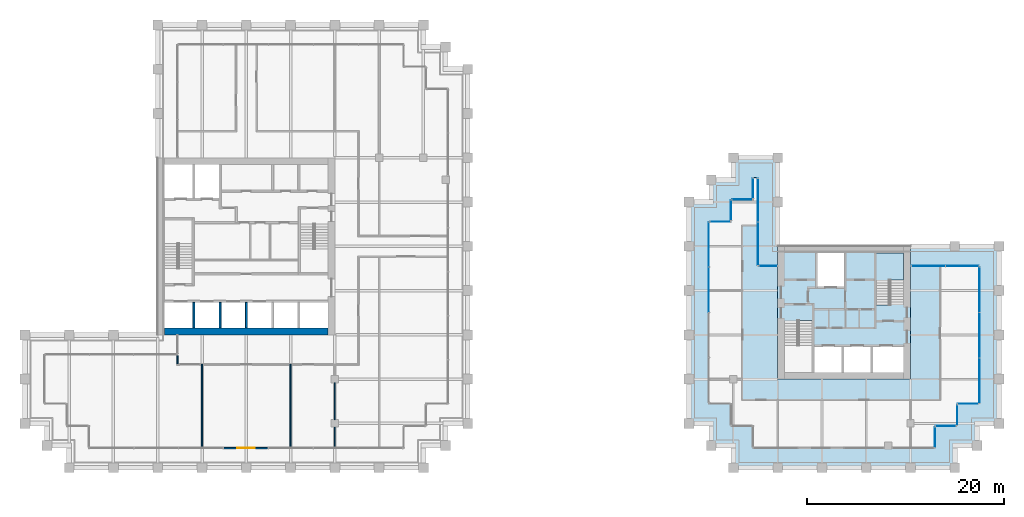
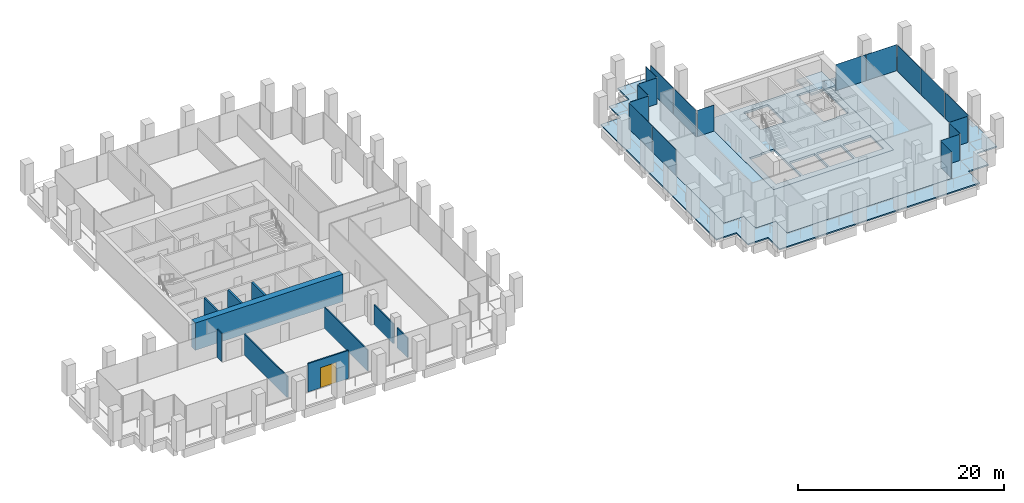
# One storey, part 40 of 45: 18 plates, 10 walls, 4 slabs, 1 door, 1 opening, 14 elements without a shape of their own.
"""IFC4 building model written with IfcOpenShell, lengths in metres."""

from ifc_helpers import new_model, si_unit, direction, frame, frame_2d, origin, origin_2d, place, context, subcontext, project, spatial, polyline, rectangle, outline, extrude, material, layer, layer_set, type_object, element, fill, aggregate, save


model = new_model("IFC4")

# Units and contexts
model_context = context("Model", 3, precision=1e-05, world=origin(), true_north=direction((0.0, 1.0)))
body_context = subcontext(model_context, "Body", "Model", "MODEL_VIEW")
ifc_project = project(units=[si_unit("LENGTHUNIT", "METRE"), si_unit("AREAUNIT", "SQUARE_METRE"), si_unit("VOLUMEUNIT", "CUBIC_METRE"), si_unit("PLANEANGLEUNIT", "RADIAN"), si_unit("MASSUNIT", "GRAM", prefix="KILO")], contexts=[model_context])

# Site, building, storey
site_placement = place(None, origin())
site = spatial("IfcSite", under=ifc_project, at=site_placement, CompositionType="ELEMENT")
building_placement = place(site_placement, origin())
building = spatial("IfcBuilding", under=site, at=building_placement, Name="Altepetl Exchange Towers", CompositionType="ELEMENT")
storey_placement = place(building_placement, frame((0.0, 0.0, 110.0)))
storey = spatial("IfcBuildingStorey", under=building, at=storey_placement, Name="L27", CompositionType="ELEMENT", Elevation=110.0)

# Slabs
ifc_material_1 = material(Name="Concrete C40/50", Category="concrete")
ifc_layer_1 = layer(ifc_material_1, 0.14990234375)
ifc_layer_set_1 = layer_set([ifc_layer_1], Name="Concrete C40/50")
slab_type_1 = type_object("IfcSlabType", Name="Composite floor slab 150", PredefinedType="FLOOR", material=ifc_layer_set_1)
slab_1_placement = place(storey_placement, frame((0.0, 0.0, -0.14990234375)))
element("IfcSlab", 1, at=slab_1_placement, inside=storey, type_object=slab_type_1, Name="slab:B:L27:strip0", PredefinedType="FLOOR", context=body_context, shape_type="SweptSolid", body=[
    extrude(outline(polyline([(98.75, 54.25), (98.75, 52.0), (96.5, 52.0), (96.5, 33.5), (98.75, 33.5), (98.75, 31.25), (101.0, 31.25), (101.0, 29.0), (119.5, 29.0), (119.5, 31.25), (121.75, 31.25), (121.75, 33.5), (124.0, 33.5), (124.0, 47.5), (117.0, 47.5), (117.0, 36.0), (103.5, 36.0), (103.5, 47.5), (101.5, 47.5), (101.5, 56.5), (101.0, 56.5), (101.0, 54.25), (98.75, 54.25)])), origin(), (0.0, 0.0, 1.0), 0.14990234375),
])
ifc_layer_2 = layer(ifc_material_1, 0.25)
ifc_layer_set_2 = layer_set([ifc_layer_2], Name="Concrete C40/50")
slab_type_2 = type_object("IfcSlabType", Name="Core floor slab 250", PredefinedType="FLOOR", material=ifc_layer_set_2)
slab_2_placement = place(storey_placement, frame((0.0, 0.0, -0.25)))
element("IfcSlab", 2, at=slab_2_placement, inside=storey, type_object=slab_type_2, Name="slab:B:L27:core0", PredefinedType="FLOOR", context=body_context, shape_type="SweptSolid", body=[
    extrude(outline(polyline([(103.5, 36.0), (117.0, 36.0), (117.0, 49.5), (103.5, 49.5), (103.5, 36.0)]), holes=[polyline([(107.199951171875, 36.699951171875), (107.199951171875, 39.300048828125), (110.032958984375, 39.300048828125), (110.032958984375, 36.699951171875), (107.199951171875, 36.699951171875)]), polyline([(110.23291015625, 39.300048828125), (112.967041015625, 39.300048828125), (112.967041015625, 36.699951171875), (110.23291015625, 36.699951171875), (110.23291015625, 39.300048828125)]), polyline([(113.1669921875, 39.300048828125), (116.300048828125, 39.300048828125), (116.300048828125, 36.699951171875), (113.1669921875, 36.699951171875), (113.1669921875, 39.300048828125)]), polyline([(107.0, 36.699951171875), (104.199951171875, 36.699951171875), (104.199951171875, 41.85009765625), (105.550048828125, 41.85009765625), (105.550048828125, 41.948974609375), (107.0, 41.948974609375), (107.0, 36.699951171875)]), polyline([(116.300048828125, 48.800048828125), (116.300048828125, 43.64990234375), (114.949951171875, 43.64990234375), (114.949951171875, 43.551025390625), (113.5, 43.551025390625), (113.5, 48.800048828125), (116.300048828125, 48.800048828125)]), polyline([(107.532958984375, 48.800048828125), (110.26708984375, 48.800048828125), (110.26708984375, 45.39990234375), (107.532958984375, 45.39990234375), (107.532958984375, 48.800048828125)])]), origin(), (0.0, 0.0, 1.0), 0.25),
])

# Curtain wall, plate
ifc_material_2 = material(Name="Aluminium 6063-T6 glazing", Category="aluminium")
curtain_wall_type = type_object("IfcCurtainWallType", Name="Loggia glazing system", PredefinedType="NOTDEFINED", material=ifc_material_2)
curtain_wall_1_placement = place(storey_placement, origin())
curtain_wall_1 = element("IfcCurtainWall", 3, at=curtain_wall_1_placement, inside=storey, type_object=curtain_wall_type, Name="CW1 run", PredefinedType="NOTDEFINED")
ifc_material_3 = material(Name="Glass 6-16-6 low emissivity", Category="glass")
ifc_layer_3 = layer(ifc_material_3, 0.028076171875)
ifc_layer_set_3 = layer_set([ifc_layer_3], Name="Glass 6-16-6 low emissivity")
plate_type = type_object("IfcPlateType", Name="Glass panel 28 double glazed", PredefinedType="CURTAIN_PANEL", material=ifc_layer_set_3)
plate_1_placement = place(storey_placement, frame((97.66259765625, 52.0, 0.0), z_axis=(0.0, 0.0, 1.0), x_axis=(-1.0, 0.0, 0.0)))
plate_1 = element("IfcPlate", 4, at=plate_1_placement, type_object=plate_type, Name="GP1 panel", PredefinedType="CURTAIN_PANEL", context=body_context, shape_type="SweptSolid", body=[
    extrude(rectangle(XDim=2.054931640625, YDim=0.028076171875, at=origin_2d()), origin(), (0.0, 0.0, 1.0), 3.10009765625),
])
aggregate(curtain_wall_1, [plate_1])

# Curtain wall, plates
curtain_wall_2_placement = place(storey_placement, origin())
curtain_wall_2 = element("IfcCurtainWall", 5, at=curtain_wall_2_placement, inside=storey, type_object=curtain_wall_type, Name="CW1 run", PredefinedType="NOTDEFINED")
plate_2_placement = place(storey_placement, frame((96.5, 49.681884765625, 0.0), z_axis=(0.0, 0.0, 1.0), x_axis=(0.0, -1.0, 0.0)))
plate_2 = element("IfcPlate", 6, at=plate_2_placement, type_object=plate_type, Name="GP1 panel", PredefinedType="CURTAIN_PANEL", context=body_context, shape_type="SweptSolid", body=[
    extrude(rectangle(XDim=4.516357421875, YDim=0.028076171875, at=origin_2d()), origin(), (0.0, 0.0, 1.0), 3.10009765625),
])
plate_3_placement = place(storey_placement, frame((96.5, 45.090576171875, 0.0), z_axis=(0.0, 0.0, 1.0), x_axis=(0.0, -1.0, 0.0)))
plate_3 = element("IfcPlate", 7, at=plate_3_placement, type_object=plate_type, Name="GP1 panel", PredefinedType="CURTAIN_PANEL", context=body_context, shape_type="SweptSolid", body=[
    extrude(rectangle(XDim=4.546142578125, YDim=0.028076171875, at=origin_2d()), origin(), (0.0, 0.0, 1.0), 3.10009765625),
])
aggregate(curtain_wall_2, [plate_2, plate_3])

# Curtain wall, plate
curtain_wall_3_placement = place(storey_placement, origin())
curtain_wall_3 = element("IfcCurtainWall", 8, at=curtain_wall_3_placement, inside=storey, type_object=curtain_wall_type, Name="CW1 run", PredefinedType="NOTDEFINED")
plate_4_placement = place(storey_placement, frame((119.5, 30.08740234375, 0.0), z_axis=(0.0, 0.0, 1.0), x_axis=(0.0, 1.0, 0.0)))
plate_4 = element("IfcPlate", 9, at=plate_4_placement, type_object=plate_type, Name="GP1 panel", PredefinedType="CURTAIN_PANEL", context=body_context, shape_type="SweptSolid", body=[
    extrude(rectangle(XDim=2.054931640625, YDim=0.028076171875, at=origin_2d()), origin(), (0.0, 0.0, 1.0), 3.10009765625),
])
aggregate(curtain_wall_3, [plate_4])

curtain_wall_4_placement = place(storey_placement, origin())
curtain_wall_4 = element("IfcCurtainWall", 10, at=curtain_wall_4_placement, inside=storey, type_object=curtain_wall_type, Name="CW1 run", PredefinedType="NOTDEFINED")
plate_5_placement = place(storey_placement, frame((120.58740234375, 31.25, 0.0)))
plate_5 = element("IfcPlate", 11, at=plate_5_placement, type_object=plate_type, Name="GP1 panel", PredefinedType="CURTAIN_PANEL", context=body_context, shape_type="SweptSolid", body=[
    extrude(rectangle(XDim=2.054931640625, YDim=0.028076171875, at=origin_2d()), origin(), (0.0, 0.0, 1.0), 3.10009765625),
])
aggregate(curtain_wall_4, [plate_5])

curtain_wall_5_placement = place(storey_placement, origin())
curtain_wall_5 = element("IfcCurtainWall", 12, at=curtain_wall_5_placement, inside=storey, type_object=curtain_wall_type, Name="CW1 run", PredefinedType="NOTDEFINED")
plate_6_placement = place(storey_placement, frame((121.75, 32.33740234375, 0.0), z_axis=(0.0, 0.0, 1.0), x_axis=(0.0, 1.0, 0.0)))
plate_6 = element("IfcPlate", 13, at=plate_6_placement, type_object=plate_type, Name="GP1 panel", PredefinedType="CURTAIN_PANEL", context=body_context, shape_type="SweptSolid", body=[
    extrude(rectangle(XDim=2.054931640625, YDim=0.028076171875, at=origin_2d()), origin(), (0.0, 0.0, 1.0), 3.10009765625),
])
aggregate(curtain_wall_5, [plate_6])

curtain_wall_6_placement = place(storey_placement, origin())
curtain_wall_6 = element("IfcCurtainWall", 14, at=curtain_wall_6_placement, inside=storey, type_object=curtain_wall_type, Name="CW1 run", PredefinedType="NOTDEFINED")
plate_7_placement = place(storey_placement, frame((122.83740234375, 33.5, 0.0)))
plate_7 = element("IfcPlate", 15, at=plate_7_placement, type_object=plate_type, Name="GP1 panel", PredefinedType="CURTAIN_PANEL", context=body_context, shape_type="SweptSolid", body=[
    extrude(rectangle(XDim=2.054931640625, YDim=0.028076171875, at=origin_2d()), origin(), (0.0, 0.0, 1.0), 3.10009765625),
])
aggregate(curtain_wall_6, [plate_7])

# Curtain wall, plates
curtain_wall_7_placement = place(storey_placement, origin())
curtain_wall_7 = element("IfcCurtainWall", 16, at=curtain_wall_7_placement, inside=storey, type_object=curtain_wall_type, Name="CW1 run", PredefinedType="NOTDEFINED")
plate_8_placement = place(storey_placement, frame((124.0, 35.8359375, 0.0), z_axis=(0.0, 0.0, 1.0), x_axis=(0.0, 1.0, 0.0)))
plate_8 = element("IfcPlate", 17, at=plate_8_placement, type_object=plate_type, Name="GP1 panel", PredefinedType="CURTAIN_PANEL", context=body_context, shape_type="SweptSolid", body=[
    extrude(rectangle(XDim=4.5517578125, YDim=0.028076171875, at=origin_2d()), origin(), (0.0, 0.0, 1.0), 3.10009765625),
])
plate_9_placement = place(storey_placement, frame((124.0, 40.46240234375, 0.0), z_axis=(0.0, 0.0, 1.0), x_axis=(0.0, 1.0, 0.0)))
plate_9 = element("IfcPlate", 18, at=plate_9_placement, type_object=plate_type, Name="GP1 panel", PredefinedType="CURTAIN_PANEL", context=body_context, shape_type="SweptSolid", body=[
    extrude(rectangle(XDim=4.581787109375, YDim=0.028076171875, at=origin_2d()), origin(), (0.0, 0.0, 1.0), 3.10009765625),
])
plate_10_placement = place(storey_placement, frame((124.0, 45.089111328125, 0.0), z_axis=(0.0, 0.0, 1.0), x_axis=(0.0, 1.0, 0.0)))
plate_10 = element("IfcPlate", 19, at=plate_10_placement, type_object=plate_type, Name="GP1 panel", PredefinedType="CURTAIN_PANEL", context=body_context, shape_type="SweptSolid", body=[
    extrude(rectangle(XDim=4.5517578125, YDim=0.028076171875, at=origin_2d()), origin(), (0.0, 0.0, 1.0), 3.10009765625),
])
aggregate(curtain_wall_7, [plate_8, plate_9, plate_10])

curtain_wall_8_placement = place(storey_placement, origin())
curtain_wall_8 = element("IfcCurtainWall", 20, at=curtain_wall_8_placement, inside=storey, type_object=curtain_wall_type, Name="CW1 run", PredefinedType="NOTDEFINED")
plate_11_placement = place(storey_placement, frame((122.253662109375, 47.5, 0.0), z_axis=(0.0, 0.0, 1.0), x_axis=(-1.0, 0.0, 0.0)))
plate_11 = element("IfcPlate", 21, at=plate_11_placement, type_object=plate_type, Name="GP1 panel", PredefinedType="CURTAIN_PANEL", context=body_context, shape_type="SweptSolid", body=[
    extrude(rectangle(XDim=3.37255859375, YDim=0.028076171875, at=origin_2d()), origin(), (0.0, 0.0, 1.0), 3.10009765625),
])
plate_12_placement = place(storey_placement, frame((118.8212890625, 47.5, 0.0), z_axis=(0.0, 0.0, 1.0), x_axis=(-1.0, 0.0, 0.0)))
plate_12 = element("IfcPlate", 22, at=plate_12_placement, type_object=plate_type, Name="GP1 panel", PredefinedType="CURTAIN_PANEL", context=body_context, shape_type="SweptSolid", body=[
    extrude(rectangle(XDim=3.37255859375, YDim=0.028076171875, at=origin_2d()), origin(), (0.0, 0.0, 1.0), 3.10009765625),
])
aggregate(curtain_wall_8, [plate_11, plate_12])

# Curtain wall, plate
curtain_wall_9_placement = place(storey_placement, origin())
curtain_wall_9 = element("IfcCurtainWall", 23, at=curtain_wall_9_placement, inside=storey, type_object=curtain_wall_type, Name="CW1 run", PredefinedType="NOTDEFINED")
plate_13_placement = place(storey_placement, frame((102.53759765625, 47.5, 0.0), z_axis=(0.0, 0.0, 1.0), x_axis=(-1.0, 0.0, 0.0)))
plate_13 = element("IfcPlate", 24, at=plate_13_placement, type_object=plate_type, Name="GP1 panel", PredefinedType="CURTAIN_PANEL", context=body_context, shape_type="SweptSolid", body=[
    extrude(rectangle(XDim=1.804931640625, YDim=0.028076171875, at=origin_2d()), origin(), (0.0, 0.0, 1.0), 3.10009765625),
])
aggregate(curtain_wall_9, [plate_13])

# Curtain wall, plates
curtain_wall_10_placement = place(storey_placement, origin())
curtain_wall_10 = element("IfcCurtainWall", 25, at=curtain_wall_10_placement, inside=storey, type_object=curtain_wall_type, Name="CW1 run", PredefinedType="NOTDEFINED")
plate_14_placement = place(storey_placement, frame((101.5, 49.746337890625, 0.0), z_axis=(0.0, 0.0, 1.0), x_axis=(0.0, 1.0, 0.0)))
plate_14 = element("IfcPlate", 26, at=plate_14_placement, type_object=plate_type, Name="GP1 panel", PredefinedType="CURTAIN_PANEL", context=body_context, shape_type="SweptSolid", body=[
    extrude(rectangle(XDim=4.37255859375, YDim=0.028076171875, at=origin_2d()), origin(), (0.0, 0.0, 1.0), 3.10009765625),
])
plate_15_placement = place(storey_placement, frame((101.5, 54.1787109375, 0.0), z_axis=(0.0, 0.0, 1.0), x_axis=(0.0, 1.0, 0.0)))
plate_15 = element("IfcPlate", 27, at=plate_15_placement, type_object=plate_type, Name="GP1 panel", PredefinedType="CURTAIN_PANEL", context=body_context, shape_type="SweptSolid", body=[
    extrude(rectangle(XDim=4.37255859375, YDim=0.028076171875, at=origin_2d()), origin(), (0.0, 0.0, 1.0), 3.10009765625),
])
aggregate(curtain_wall_10, [plate_14, plate_15])

# Curtain wall, plate
curtain_wall_11_placement = place(storey_placement, origin())
curtain_wall_11 = element("IfcCurtainWall", 28, at=curtain_wall_11_placement, inside=storey, type_object=curtain_wall_type, Name="CW1 run", PredefinedType="NOTDEFINED")
plate_16_placement = place(storey_placement, frame((101.0, 55.41259765625, 0.0), z_axis=(0.0, 0.0, 1.0), x_axis=(0.0, -1.0, 0.0)))
plate_16 = element("IfcPlate", 29, at=plate_16_placement, type_object=plate_type, Name="GP1 panel", PredefinedType="CURTAIN_PANEL", context=body_context, shape_type="SweptSolid", body=[
    extrude(rectangle(XDim=2.054931640625, YDim=0.028076171875, at=origin_2d()), origin(), (0.0, 0.0, 1.0), 3.10009765625),
])
aggregate(curtain_wall_11, [plate_16])

curtain_wall_12_placement = place(storey_placement, origin())
curtain_wall_12 = element("IfcCurtainWall", 30, at=curtain_wall_12_placement, inside=storey, type_object=curtain_wall_type, Name="CW1 run", PredefinedType="NOTDEFINED")
plate_17_placement = place(storey_placement, frame((99.91259765625, 54.25, 0.0), z_axis=(0.0, 0.0, 1.0), x_axis=(-1.0, 0.0, 0.0)))
plate_17 = element("IfcPlate", 31, at=plate_17_placement, type_object=plate_type, Name="GP1 panel", PredefinedType="CURTAIN_PANEL", context=body_context, shape_type="SweptSolid", body=[
    extrude(rectangle(XDim=2.054931640625, YDim=0.028076171875, at=origin_2d()), origin(), (0.0, 0.0, 1.0), 3.10009765625),
])
aggregate(curtain_wall_12, [plate_17])

curtain_wall_13_placement = place(storey_placement, origin())
curtain_wall_13 = element("IfcCurtainWall", 32, at=curtain_wall_13_placement, inside=storey, type_object=curtain_wall_type, Name="CW1 run", PredefinedType="NOTDEFINED")
plate_18_placement = place(storey_placement, frame((98.75, 53.16259765625, 0.0), z_axis=(0.0, 0.0, 1.0), x_axis=(0.0, -1.0, 0.0)))
plate_18 = element("IfcPlate", 33, at=plate_18_placement, type_object=plate_type, Name="GP1 panel", PredefinedType="CURTAIN_PANEL", context=body_context, shape_type="SweptSolid", body=[
    extrude(rectangle(XDim=2.054931640625, YDim=0.028076171875, at=origin_2d()), origin(), (0.0, 0.0, 1.0), 3.10009765625),
])
aggregate(curtain_wall_13, [plate_18])

# Slab
ifc_layer_4 = layer(ifc_material_1, 0.14990234375)
ifc_layer_set_4 = layer_set([ifc_layer_4], Name="Concrete C40/50")
slab_type_3 = type_object("IfcSlabType", Name="Loggia slab 150", PredefinedType="FLOOR", material=ifc_layer_set_4)
slab_3_placement = place(storey_placement, frame((0.0, 0.0, -0.14990234375)))
element("IfcSlab", 34, at=slab_3_placement, inside=storey, type_object=slab_type_3, Name="slab:B:L27:loggia0", PredefinedType="FLOOR", context=body_context, shape_type="SweptSolid", body=[
    extrude(outline(polyline([(96.75, 54.0), (94.5, 54.0), (94.5, 36.0), (94.5, 31.5), (96.75, 31.5), (96.75, 29.25), (99.0, 29.25), (99.0, 27.0), (117.0, 27.0), (121.5, 27.0), (121.5, 29.25), (123.75, 29.25), (123.75, 31.5), (126.0, 31.5), (126.0, 49.5), (117.0, 49.5), (117.0, 47.5), (124.0, 47.5), (124.0, 33.5), (121.75, 33.5), (121.75, 31.25), (119.5, 31.25), (119.5, 29.0), (101.0, 29.0), (101.0, 31.25), (98.75, 31.25), (98.75, 33.5), (96.5, 33.5), (96.5, 52.0), (98.75, 52.0), (98.75, 54.25), (101.0, 54.25), (101.0, 56.5), (101.5, 56.5), (101.5, 47.5), (103.5, 47.5), (103.5, 49.5), (103.5, 58.5), (99.0, 58.5), (99.0, 56.25), (96.75, 56.25), (96.75, 54.0)])), origin(), (0.0, 0.0, 1.0), 0.14990234375),
])

# Stair, slab
stair_type = type_object("IfcStairType", Name="Exit stair 1350 flights dogleg", PredefinedType="HALF_TURN_STAIR", material=ifc_material_1)
stair_placement = place(storey_placement, origin())
stair = element("IfcStair", 35, at=stair_placement, inside=storey, type_object=stair_type, Name="Exit stair 2", PredefinedType="HALF_TURN_STAIR")
ifc_layer_5 = layer(ifc_material_1, 0.199951171875)
ifc_layer_set_5 = layer_set([ifc_layer_5], Name="Concrete C40/50")
slab_type_4 = type_object("IfcSlabType", Name="Stair landing 200 reinforced concrete", PredefinedType="LANDING", material=ifc_layer_set_5)
slab_4_placement = place(storey_placement, frame((0.0, 0.0, 1.60009765625)))
slab_4 = element("IfcSlab", 36, at=slab_4_placement, type_object=slab_type_4, Name="ST-B2d landing 1", PredefinedType="LANDING", context=body_context, shape_type="SweptSolid", body=[
    extrude(outline(polyline([(114.85009765625, 45.969970703125), (113.5, 45.969970703125), (113.5, 46.070068359375), (113.5, 48.800048828125), (116.300048828125, 48.800048828125), (116.300048828125, 46.070068359375), (116.300048828125, 46.0693359375), (114.949951171875, 46.0693359375), (114.949951171875, 46.070068359375), (114.85009765625, 46.070068359375), (114.85009765625, 45.969970703125)])), origin(), (0.0, 0.0, 1.0), 0.199951171875),
])
aggregate(stair, [slab_4])

# Wall
ifc_material_4 = material(Name="Concrete C70/85", Category="concrete")
ifc_layer_6 = layer(ifc_material_4, 0.699951171875)
ifc_layer_set_6 = layer_set([ifc_layer_6], Name="Concrete C70/85")
wall_type_1 = type_object("IfcWallType", Name="Core wall 700 reinforced concrete", PredefinedType="SHEAR", material=ifc_layer_set_6)
wall_1_placement = place(storey_placement, frame((41.199951171875, 40.85009765625, 0.0)))
element("IfcWall", 37, at=wall_1_placement, inside=storey, type_object=wall_type_1, Name="wall:A:L27:K-coreS", PredefinedType="SHEAR", context=body_context, shape_type="SweptSolid", body=[
    extrude(rectangle(XDim=16.60009765625, YDim=0.699951171875, at=frame_2d((8.300048828125, 0.0))), origin(), (0.0, 0.0, 1.0), 3.25),
])

# Wall, opening, door
ifc_material_5 = material(Name="Aluminium composite cladding", Category="aluminium")
ifc_layer_7 = layer(ifc_material_5, 0.14990234375)
ifc_layer_set_7 = layer_set([ifc_layer_7], Name="Aluminium composite cladding")
wall_type_2 = type_object("IfcWallType", Name="Infill wall 150 aluminium panel", PredefinedType="SOLIDWALL", material=ifc_layer_set_7)
wall_2_placement = place(storey_placement, frame((47.18212890625, 29.0, 0.0)))
wall_2 = element("IfcWall", 38, at=wall_2_placement, inside=storey, type_object=wall_type_2, Name="Loggia door bay wall", PredefinedType="SOLIDWALL", context=body_context, shape_type="SweptSolid", body=[
    extrude(rectangle(XDim=4.560791015625, YDim=0.14990234375, at=frame_2d((2.2802734375, 0.0))), origin(), (0.0, 0.0, 1.0), 3.35009765625),
])
opening_placement = place(wall_2_placement, frame((1.38037109375, 0.0, 0.0)))
opening = element("IfcOpeningElement", 39, at=opening_placement, cuts=wall_2, Name="Opening L27.A90", PredefinedType="OPENING", context=body_context, shape_type="SweptSolid", body=[
    extrude(rectangle(XDim=1.800048828125, YDim=2.39990234375, at=frame_2d((0.89990234375, 1.199951171875))), frame((0.0, 0.0849609375, 0.0), z_axis=(0.0, -1.0, 0.0), x_axis=(1.0, 0.0, 0.0)), (0.0, 0.0, 1.0), 0.169921875),
])
ifc_material_6 = material(Name="Aluminium 6063-T6 and glass", Category="aluminium")
door_type = type_object("IfcDoorType", Name="Glazed door pair 1800x2400", OperationType="DOUBLE_DOOR_DOUBLE_SWING", PredefinedType="NOTDEFINED", material=ifc_material_6)
door_placement = place(opening_placement, frame((1.800048828125, 0.0, 0.0), x_axis=(-1.0, 0.0, 0.0)))
door = element("IfcDoor", 40, at=door_placement, inside=storey, type_object=door_type, Name="Loggia door", OperationType="DOUBLE_DOOR_DOUBLE_SWING", OverallHeight=2.39990234375, OverallWidth=1.800048828125, PredefinedType="NOTDEFINED", context=body_context, shape_type="SweptSolid", body=[
    extrude(rectangle(XDim=1.800048828125, YDim=2.39990234375, at=frame_2d((0.89990234375, 1.199951171875))), frame((0.0, 0.02490234375, 0.0), z_axis=(0.0, -1.0, 0.0), x_axis=(1.0, 0.0, 0.0)), (0.0, 0.0, 1.0), 0.050048828125),
])
fill(opening, door)

# Walls
ifc_material_7 = material(Name="Gypsum board on steel studs", Category="steel")
ifc_layer_8 = layer(ifc_material_7, 0.125)
ifc_layer_set_8 = layer_set([ifc_layer_8], Name="Gypsum board on steel studs")
wall_type_3 = type_object("IfcWallType", Name="Partition 125 gypsum board on steel studs", PredefinedType="PARTITIONING", material=ifc_layer_set_8)
wall_3_placement = place(storey_placement, frame((42.5, 37.5625, 0.0), z_axis=(0.0, 0.0, 1.0), x_axis=(0.0, 1.0, 0.0)))
element("IfcWall", 41, at=wall_3_placement, inside=storey, type_object=wall_type_3, Name="wall:A:L27:P06", PredefinedType="PARTITIONING", context=body_context, shape_type="SweptSolid", body=[
    extrude(rectangle(XDim=0.83740234375, YDim=0.125, at=frame_2d((0.418701171875, 0.0))), origin(), (0.0, 0.0, 1.0), 3.35009765625),
])
for number, where, z_axis, x_axis, name in (
    (42, (45.0, 29.10009765625, 0.0), (0.0, 0.0, 1.0), (0.0, 1.0, 0.0), "wall:A:L27:P07"),
    (43, (54.0, 29.10009765625, 0.0), (0.0, 0.0, 1.0), (0.0, 1.0, 0.0), "wall:A:L27:P10"),
):
    element("IfcWall", number, at=place(storey_placement, frame(where, z_axis=z_axis, x_axis=x_axis)), inside=storey, type_object=wall_type_3, Name=name, PredefinedType="PARTITIONING", context=body_context, shape_type="SweptSolid", body=[
        extrude(rectangle(XDim=8.39990234375, YDim=0.125, at=frame_2d((4.199951171875, 0.0))), origin(), (0.0, 0.0, 1.0), 2.50390625),
    ])
wall_4_placement = place(storey_placement, frame((58.5, 29.10009765625, 0.0), z_axis=(0.0, 0.0, 1.0), x_axis=(0.0, 1.0, 0.0)))
element("IfcWall", 44, at=wall_4_placement, inside=storey, type_object=wall_type_3, Name="wall:A:L27:P11", PredefinedType="PARTITIONING", context=body_context, shape_type="SweptSolid", body=[
    extrude(rectangle(XDim=2.02490234375, YDim=0.125, at=frame_2d((1.012451171875, 0.0))), origin(), (0.0, 0.0, 1.0), 2.360107421875),
])
wall_5_placement = place(storey_placement, frame((58.5, 31.875, 0.0), z_axis=(0.0, 0.0, 1.0), x_axis=(0.0, 1.0, 0.0)))
element("IfcWall", 45, at=wall_5_placement, inside=storey, type_object=wall_type_3, Name="wall:A:L27:P12", PredefinedType="PARTITIONING", context=body_context, shape_type="SweptSolid", body=[
    extrude(rectangle(XDim=3.75, YDim=0.125, at=frame_2d((1.875, 0.0))), origin(), (0.0, 0.0, 1.0), 2.360107421875),
])
ifc_layer_9 = layer(ifc_material_1, 0.199951171875)
ifc_layer_set_9 = layer_set([ifc_layer_9], Name="Concrete C40/50")
wall_type_4 = type_object("IfcWallType", Name="Shaft wall 200 reinforced concrete", PredefinedType="SHEAR", material=ifc_layer_set_9)
for number, where, z_axis, x_axis, name in (
    (46, (44.166748046875, 41.199951171875, 0.0), (0.0, 0.0, 1.0), (0.0, 1.0, 0.0), "wall:A:L27:K-divS1"),
    (47, (46.833251953125, 41.199951171875, 0.0), (0.0, 0.0, 1.0), (0.0, 1.0, 0.0), "wall:A:L27:K-divS2"),
    (48, (49.5, 41.199951171875, 0.0), (0.0, 0.0, 1.0), (0.0, 1.0, 0.0), "wall:A:L27:K-divS3"),
):
    element("IfcWall", number, at=place(storey_placement, frame(where, z_axis=z_axis, x_axis=x_axis)), inside=storey, type_object=wall_type_4, Name=name, PredefinedType="SHEAR", context=body_context, shape_type="SweptSolid", body=[
        extrude(rectangle(XDim=2.60009765625, YDim=0.199951171875, at=frame_2d((1.300048828125, 0.0))), origin(), (0.0, 0.0, 1.0), 3.25),
    ])

save(model, "model.ifc")
